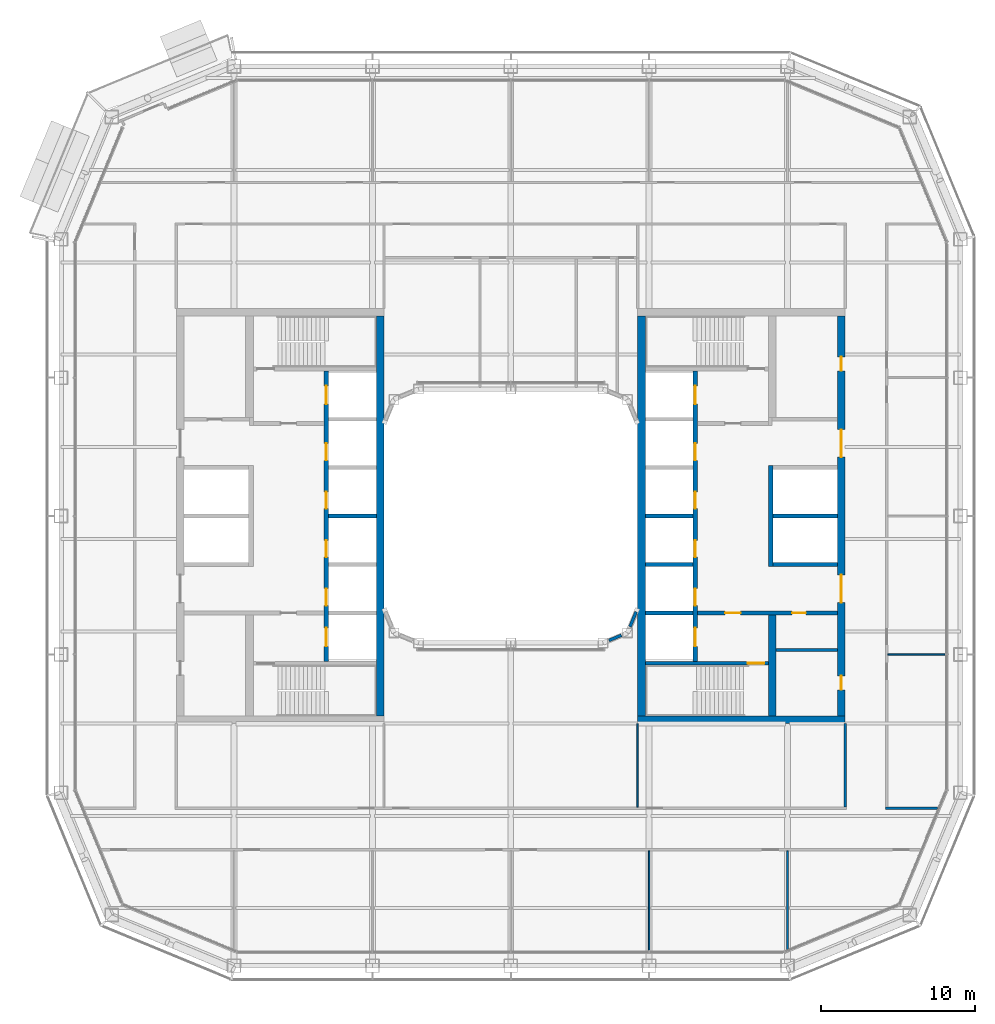
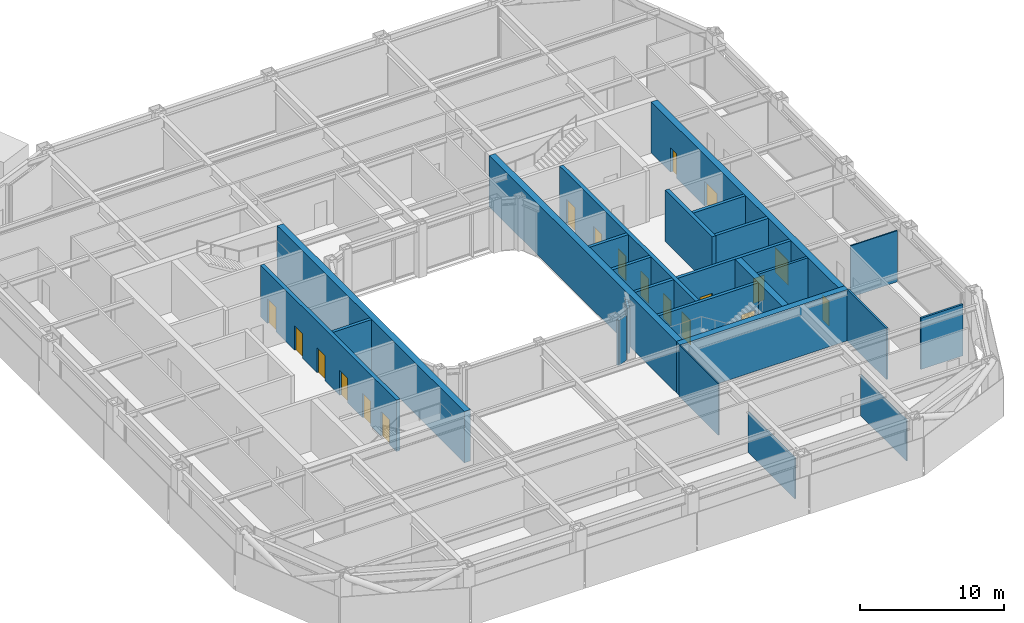
# One storey, part 12 of 23: 25 walls, 19 doors, 19 openings.
"""IFC4 building model written with IfcOpenShell, lengths in metres."""

from ifc_helpers import new_model, si_unit, direction, frame, frame_2d, origin, place, context, subcontext, project, spatial, rectangle, extrude, material, layer, layer_set, type_object, element, fill, save


model = new_model("IFC4")

# Units and contexts
model_context = context("Model", 3, precision=1e-05, world=origin(), true_north=direction((0.0, 1.0)))
body_context = subcontext(model_context, "Body", "Model", "MODEL_VIEW")
ifc_project = project(units=[si_unit("LENGTHUNIT", "METRE"), si_unit("AREAUNIT", "SQUARE_METRE"), si_unit("VOLUMEUNIT", "CUBIC_METRE"), si_unit("PLANEANGLEUNIT", "RADIAN"), si_unit("MASSUNIT", "GRAM", prefix="KILO")], contexts=[model_context])

# Site, building, storey
site_placement = place(None, origin())
site = spatial("IfcSite", under=ifc_project, at=site_placement, CompositionType="ELEMENT")
building_placement = place(site_placement, origin())
building = spatial("IfcBuilding", under=site, at=building_placement, Name="Siwar Civic Tower", CompositionType="ELEMENT")
storey_placement = place(building_placement, frame((0.0, 0.0, 172.199951171875)))
storey = spatial("IfcBuildingStorey", under=building, at=storey_placement, Name="L37", CompositionType="ELEMENT", Elevation=172.199951171875)

# Walls
ifc_material_1 = material(Name="Gypsum board on steel studs", Category="steel")
ifc_layer_1 = layer(ifc_material_1, 0.199951171875)
ifc_layer_set_1 = layer_set([ifc_layer_1], Name="Gypsum board on steel studs")
wall_type_1 = type_object("IfcWallType", Name="CORE-PARTITION-200", PredefinedType="PARTITIONING", material=ifc_layer_set_1)
wall_1_placement = place(storey_placement, frame((17.25, -8.699951171875, 0.0), z_axis=(0.0, 0.0, 1.0), x_axis=(1.0, 0.0, 0.0)))
element("IfcWall", 1, at=wall_1_placement, inside=storey, type_object=wall_type_1, Name="Core partition E", PredefinedType="PARTITIONING", context=body_context, shape_type="SweptSolid", body=[
    extrude(rectangle(XDim=4.0, YDim=0.199951171875, at=frame_2d((2.0, 0.0))), origin(), (0.0, 0.0, 1.0), 4.35009765625),
])
ifc_material_2 = material(Name="Concrete C60/75", Category="concrete")
ifc_layer_2 = layer(ifc_material_2, 0.25)
ifc_layer_set_2 = layer_set([ifc_layer_2], Name="Concrete C60/75")
wall_type_2 = type_object("IfcWallType", Name="CORE-WALL-RC250", PredefinedType="SHEAR", material=ifc_layer_set_2)
wall_2_placement = place(storey_placement, frame((-8.75, 0.0, 0.0), z_axis=(0.0, 0.0, 1.0), x_axis=(-1.0, 0.0, 0.0)))
element("IfcWall", 2, at=wall_2_placement, inside=storey, type_object=wall_type_2, Name="Core wall W", PredefinedType="SHEAR", context=body_context, shape_type="SweptSolid", body=[
    extrude(rectangle(XDim=3.10009765625, YDim=0.25, at=frame_2d((1.550048828125, 0.0))), origin(), (0.0, 0.0, 1.0), 4.35009765625),
])

# Wall, openings, doors
wall_3_placement = place(storey_placement, frame((12.14990234375, -6.300048828125, 0.0), z_axis=(0.0, 0.0, 1.0), x_axis=(1.0, 0.0, 0.0)))
wall_3 = element("IfcWall", 3, at=wall_3_placement, inside=storey, type_object=wall_type_2, Name="Core wall E", PredefinedType="SHEAR", context=body_context, shape_type="SweptSolid", body=[
    extrude(rectangle(XDim=9.10009765625, YDim=0.25, at=frame_2d((4.550048828125, 0.0))), origin(), (0.0, 0.0, 1.0), 4.35009765625),
])
opening_1_placement = place(wall_3_placement, frame((1.800048828125, 0.0, 0.0)))
opening_1 = element("IfcOpeningElement", 4, at=opening_1_placement, cuts=wall_3, Name="Opening L37-CE02", PredefinedType="OPENING", context=body_context, shape_type="SweptSolid", body=[
    extrude(rectangle(XDim=1.0, YDim=2.10009765625, at=frame_2d((0.5, 1.050048828125))), frame((0.0, 0.135009765625, 0.0), z_axis=(0.0, -1.0, 0.0), x_axis=(1.0, 0.0, 0.0)), (0.0, 0.0, 1.0), 0.27001953125),
])
opening_2_placement = place(wall_3_placement, frame((6.14990234375, 0.0, 0.0)))
opening_2 = element("IfcOpeningElement", 5, at=opening_2_placement, cuts=wall_3, Name="Opening L37-CE14", PredefinedType="OPENING", context=body_context, shape_type="SweptSolid", body=[
    extrude(rectangle(XDim=0.89990234375, YDim=2.10009765625, at=frame_2d((0.449951171875, 1.050048828125))), frame((0.0, 0.135009765625, 0.0), z_axis=(0.0, -1.0, 0.0), x_axis=(1.0, 0.0, 0.0)), (0.0, 0.0, 1.0), 0.27001953125),
])
ifc_material_3 = material(Name="Steel door leaf", Category="steel")
door_type_1 = type_object("IfcDoorType", Name="CORE-DOOR-FD30S", OperationType="SINGLE_SWING_LEFT", PredefinedType="DOOR", material=ifc_material_3)
door_1_placement = place(opening_1_placement, origin())
door_1 = element("IfcDoor", 6, at=door_1_placement, inside=storey, type_object=door_type_1, Name="Service lobby door L37-CE02", OperationType="SINGLE_SWING_LEFT", OverallHeight=2.10009765625, OverallWidth=1.0, PredefinedType="DOOR", context=body_context, shape_type="SweptSolid", body=[
    extrude(rectangle(XDim=1.0, YDim=2.10009765625, at=frame_2d((0.5, 1.050048828125))), frame((0.0, 0.02490234375, 0.0), z_axis=(0.0, -1.0, 0.0), x_axis=(1.0, 0.0, 0.0)), (0.0, 0.0, 1.0), 0.050048828125),
])
fill(opening_1, door_1)
ifc_material_4 = material(Name="Steel door leaf", Category="steel")
door_type_2 = type_object("IfcDoorType", Name="CORE-DOOR-ROOM", OperationType="SINGLE_SWING_LEFT", PredefinedType="DOOR", material=ifc_material_4)
door_2_placement = place(opening_2_placement, origin())
door_2 = element("IfcDoor", 7, at=door_2_placement, inside=storey, type_object=door_type_2, Name="Core room door L37-CE14", OperationType="SINGLE_SWING_LEFT", OverallHeight=2.10009765625, OverallWidth=0.89990234375, PredefinedType="DOOR", context=body_context, shape_type="SweptSolid", body=[
    extrude(rectangle(XDim=0.89990234375, YDim=2.10009765625, at=frame_2d((0.449951171875, 1.050048828125))), frame((0.0, 0.02490234375, 0.0), z_axis=(0.0, -1.0, 0.0), x_axis=(1.0, 0.0, 0.0)), (0.0, 0.0, 1.0), 0.050048828125),
])
fill(opening_2, door_2)

# Walls
for number, where, z_axis, x_axis, name in (
    (8, (17.050048828125, 0.0, 0.0), (0.0, 0.0, 1.0), (1.0, 0.0, 0.0), "Core wall E"),
    (9, (17.050048828125, -3.14990234375, 0.0), (0.0, 0.0, 1.0), (1.0, 0.0, 0.0), "Core wall E"),
):
    element("IfcWall", number, at=place(storey_placement, frame(where, z_axis=z_axis, x_axis=x_axis)), inside=storey, type_object=wall_type_2, Name=name, PredefinedType="SHEAR", context=body_context, shape_type="SweptSolid", body=[
        extrude(rectangle(XDim=4.199951171875, YDim=0.25, at=frame_2d((2.10009765625, 0.0))), origin(), (0.0, 0.0, 1.0), 4.35009765625),
    ])
for number, where, z_axis, x_axis, name in (
    (10, (8.75, 0.0, 0.0), (0.0, 0.0, 1.0), (1.0, 0.0, 0.0), "Core wall E"),
    (11, (8.75, -3.14990234375, 0.0), (0.0, 0.0, 1.0), (1.0, 0.0, 0.0), "Core wall E"),
    (12, (8.75, -6.300048828125, 0.0), (0.0, 0.0, 1.0), (1.0, 0.0, 0.0), "Core wall E"),
):
    element("IfcWall", number, at=place(storey_placement, frame(where, z_axis=z_axis, x_axis=x_axis)), inside=storey, type_object=wall_type_2, Name=name, PredefinedType="SHEAR", context=body_context, shape_type="SweptSolid", body=[
        extrude(rectangle(XDim=3.10009765625, YDim=0.25, at=frame_2d((1.550048828125, 0.0))), origin(), (0.0, 0.0, 1.0), 4.35009765625),
    ])

# Wall, opening, door
wall_4_placement = place(storey_placement, frame((8.75, -9.574951171875, 0.0), z_axis=(0.0, 0.0, 1.0), x_axis=(1.0, 0.0, 0.0)))
wall_4 = element("IfcWall", 13, at=wall_4_placement, inside=storey, type_object=wall_type_2, Name="Core wall E", PredefinedType="SHEAR", context=body_context, shape_type="SweptSolid", body=[
    extrude(rectangle(XDim=8.0, YDim=0.25, at=frame_2d((4.0, 0.0))), origin(), (0.0, 0.0, 1.0), 4.35009765625),
])
opening_3_placement = place(wall_4_placement, frame((6.64990234375, 0.0, 0.0)))
opening_3 = element("IfcOpeningElement", 14, at=opening_3_placement, cuts=wall_4, Name="Opening L37-CE04", PredefinedType="OPENING", context=body_context, shape_type="SweptSolid", body=[
    extrude(rectangle(XDim=1.10009765625, YDim=2.10009765625, at=frame_2d((0.550048828125, 1.050048828125))), frame((0.0, 0.135009765625, 0.0), z_axis=(0.0, -1.0, 0.0), x_axis=(1.0, 0.0, 0.0)), (0.0, 0.0, 1.0), 0.27001953125),
])
ifc_material_5 = material(Name="Steel door leaf", Category="steel")
door_type_3 = type_object("IfcDoorType", Name="CORE-DOOR-FD60S", OperationType="SINGLE_SWING_LEFT", PredefinedType="DOOR", material=ifc_material_5)
door_3_placement = place(opening_3_placement, origin())
door_3 = element("IfcDoor", 15, at=door_3_placement, inside=storey, type_object=door_type_3, Name="Stair door L37-CE04", OperationType="SINGLE_SWING_RIGHT", OverallHeight=2.10009765625, OverallWidth=1.10009765625, PredefinedType="DOOR", context=body_context, shape_type="SweptSolid", body=[
    extrude(rectangle(XDim=1.10009765625, YDim=2.10009765625, at=frame_2d((0.550048828125, 1.050048828125))), frame((0.0, 0.02490234375, 0.0), z_axis=(0.0, -1.0, 0.0), x_axis=(1.0, 0.0, 0.0)), (0.0, 0.0, 1.0), 0.050048828125),
])
fill(opening_3, door_3)

# Wall, openings, doors
ifc_material_6 = material(Name="Concrete C60/75", Category="concrete")
ifc_layer_3 = layer(ifc_material_6, 0.300048828125)
ifc_layer_set_3 = layer_set([ifc_layer_3], Name="Concrete C60/75")
wall_type_3 = type_object("IfcWallType", Name="CORE-WALL-RC300", PredefinedType="SHEAR", material=ifc_layer_set_3)
wall_5_placement = place(storey_placement, frame((-12.0, -9.449951171875, 0.0), z_axis=(0.0, 0.0, 1.0), x_axis=(0.0, 1.0, 0.0)))
wall_5 = element("IfcWall", 16, at=wall_5_placement, inside=storey, type_object=wall_type_3, Name="Core wall W", PredefinedType="SHEAR", context=body_context, shape_type="SweptSolid", body=[
    extrude(rectangle(XDim=18.89990234375, YDim=0.300048828125, at=frame_2d((9.449951171875, 0.0))), origin(), (0.0, 0.0, 1.0), 4.35009765625),
])
opening_4_placement = place(wall_5_placement, frame((3.625, 0.0, 0.0)))
opening_4 = element("IfcOpeningElement", 17, at=opening_4_placement, cuts=wall_5, Name="Opening L37-CW07", PredefinedType="OPENING", context=body_context, shape_type="SweptSolid", body=[
    extrude(rectangle(XDim=1.10009765625, YDim=2.10009765625, at=frame_2d((0.550048828125, 1.050048828125))), frame((0.0, 0.16015625, 0.0), z_axis=(0.0, -1.0, 0.0), x_axis=(1.0, 0.0, 0.0)), (0.0, 0.0, 1.0), 0.320068359375),
])
opening_5_placement = place(wall_5_placement, frame((6.77490234375, 0.0, 0.0)))
opening_5 = element("IfcOpeningElement", 18, at=opening_5_placement, cuts=wall_5, Name="Opening L37-CW08", PredefinedType="OPENING", context=body_context, shape_type="SweptSolid", body=[
    extrude(rectangle(XDim=1.10009765625, YDim=2.10009765625, at=frame_2d((0.550048828125, 1.050048828125))), frame((0.0, 0.16015625, 0.0), z_axis=(0.0, -1.0, 0.0), x_axis=(1.0, 0.0, 0.0)), (0.0, 0.0, 1.0), 0.320068359375),
])
opening_6_placement = place(wall_5_placement, frame((9.925048828125, 0.0, 0.0)))
opening_6 = element("IfcOpeningElement", 19, at=opening_6_placement, cuts=wall_5, Name="Opening L37-CW09", PredefinedType="OPENING", context=body_context, shape_type="SweptSolid", body=[
    extrude(rectangle(XDim=1.10009765625, YDim=2.10009765625, at=frame_2d((0.550048828125, 1.050048828125))), frame((0.0, 0.16015625, 0.0), z_axis=(0.0, -1.0, 0.0), x_axis=(1.0, 0.0, 0.0)), (0.0, 0.0, 1.0), 0.320068359375),
])
opening_7_placement = place(wall_5_placement, frame((13.074951171875, 0.0, 0.0)))
opening_7 = element("IfcOpeningElement", 20, at=opening_7_placement, cuts=wall_5, Name="Opening L37-CW10", PredefinedType="OPENING", context=body_context, shape_type="SweptSolid", body=[
    extrude(rectangle(XDim=1.10009765625, YDim=2.10009765625, at=frame_2d((0.550048828125, 1.050048828125))), frame((0.0, 0.16015625, 0.0), z_axis=(0.0, -1.0, 0.0), x_axis=(1.0, 0.0, 0.0)), (0.0, 0.0, 1.0), 0.320068359375),
])
opening_8_placement = place(wall_5_placement, frame((16.72509765625, 0.0, 0.0)))
opening_8 = element("IfcOpeningElement", 21, at=opening_8_placement, cuts=wall_5, Name="Opening L37-CW11", PredefinedType="OPENING", context=body_context, shape_type="SweptSolid", body=[
    extrude(rectangle(XDim=1.199951171875, YDim=2.10009765625, at=frame_2d((0.60009765625, 1.050048828125))), frame((0.0, 0.16015625, 0.0), z_axis=(0.0, -1.0, 0.0), x_axis=(1.0, 0.0, 0.0)), (0.0, 0.0, 1.0), 0.320068359375),
])
opening_9_placement = place(wall_5_placement, frame((0.97509765625, 0.0, 0.0)))
opening_9 = element("IfcOpeningElement", 22, at=opening_9_placement, cuts=wall_5, Name="Opening L37-CW12", PredefinedType="OPENING", context=body_context, shape_type="SweptSolid", body=[
    extrude(rectangle(XDim=1.199951171875, YDim=2.10009765625, at=frame_2d((0.60009765625, 1.050048828125))), frame((0.0, 0.16015625, 0.0), z_axis=(0.0, -1.0, 0.0), x_axis=(1.0, 0.0, 0.0)), (0.0, 0.0, 1.0), 0.320068359375),
])
ifc_material_7 = material(Name="Steel door leaf", Category="steel")
door_type_4 = type_object("IfcDoorType", Name="CORE-DOOR-LD", OperationType="DOUBLE_DOOR_SLIDING", PredefinedType="DOOR", material=ifc_material_7)
door_4_placement = place(opening_4_placement, origin())
door_4 = element("IfcDoor", 23, at=door_4_placement, inside=storey, type_object=door_type_4, Name="Landing door LR1 L37-CW07", OperationType="DOUBLE_DOOR_SLIDING", OverallHeight=2.10009765625, OverallWidth=1.10009765625, PredefinedType="DOOR", context=body_context, shape_type="SweptSolid", body=[
    extrude(rectangle(XDim=1.10009765625, YDim=2.10009765625, at=frame_2d((0.550048828125, 1.050048828125))), frame((0.0, 0.02490234375, 0.0), z_axis=(0.0, -1.0, 0.0), x_axis=(1.0, 0.0, 0.0)), (0.0, 0.0, 1.0), 0.050048828125),
])
fill(opening_4, door_4)
door_5_placement = place(opening_5_placement, origin())
door_5 = element("IfcDoor", 24, at=door_5_placement, inside=storey, type_object=door_type_4, Name="Landing door LR2 L37-CW08", OperationType="DOUBLE_DOOR_SLIDING", OverallHeight=2.10009765625, OverallWidth=1.10009765625, PredefinedType="DOOR", context=body_context, shape_type="SweptSolid", body=[
    extrude(rectangle(XDim=1.10009765625, YDim=2.10009765625, at=frame_2d((0.550048828125, 1.050048828125))), frame((0.0, 0.02490234375, 0.0), z_axis=(0.0, -1.0, 0.0), x_axis=(1.0, 0.0, 0.0)), (0.0, 0.0, 1.0), 0.050048828125),
])
fill(opening_5, door_5)
door_6_placement = place(opening_6_placement, origin())
door_6 = element("IfcDoor", 25, at=door_6_placement, inside=storey, type_object=door_type_4, Name="Landing door LR3 L37-CW09", OperationType="DOUBLE_DOOR_SLIDING", OverallHeight=2.10009765625, OverallWidth=1.10009765625, PredefinedType="DOOR", context=body_context, shape_type="SweptSolid", body=[
    extrude(rectangle(XDim=1.10009765625, YDim=2.10009765625, at=frame_2d((0.550048828125, 1.050048828125))), frame((0.0, 0.02490234375, 0.0), z_axis=(0.0, -1.0, 0.0), x_axis=(1.0, 0.0, 0.0)), (0.0, 0.0, 1.0), 0.050048828125),
])
fill(opening_6, door_6)
door_7_placement = place(opening_7_placement, origin())
door_7 = element("IfcDoor", 26, at=door_7_placement, inside=storey, type_object=door_type_4, Name="Landing door LR4 L37-CW10", OperationType="DOUBLE_DOOR_SLIDING", OverallHeight=2.10009765625, OverallWidth=1.10009765625, PredefinedType="DOOR", context=body_context, shape_type="SweptSolid", body=[
    extrude(rectangle(XDim=1.10009765625, YDim=2.10009765625, at=frame_2d((0.550048828125, 1.050048828125))), frame((0.0, 0.02490234375, 0.0), z_axis=(0.0, -1.0, 0.0), x_axis=(1.0, 0.0, 0.0)), (0.0, 0.0, 1.0), 0.050048828125),
])
fill(opening_7, door_7)
ifc_material_8 = material(Name="Steel door leaf", Category="steel")
door_type_5 = type_object("IfcDoorType", Name="CORE-DOOR-LDW", OperationType="DOUBLE_DOOR_SLIDING", PredefinedType="DOOR", material=ifc_material_8)
door_8_placement = place(opening_8_placement, origin())
door_8 = element("IfcDoor", 27, at=door_8_placement, inside=storey, type_object=door_type_5, Name="Landing door FF1 L37-CW11", OperationType="DOUBLE_DOOR_SLIDING", OverallHeight=2.10009765625, OverallWidth=1.199951171875, PredefinedType="DOOR", context=body_context, shape_type="SweptSolid", body=[
    extrude(rectangle(XDim=1.199951171875, YDim=2.10009765625, at=frame_2d((0.60009765625, 1.050048828125))), frame((0.0, 0.02490234375, 0.0), z_axis=(0.0, -1.0, 0.0), x_axis=(1.0, 0.0, 0.0)), (0.0, 0.0, 1.0), 0.050048828125),
])
fill(opening_8, door_8)
door_9_placement = place(opening_9_placement, origin())
door_9 = element("IfcDoor", 28, at=door_9_placement, inside=storey, type_object=door_type_5, Name="Landing door SV1 L37-CW12", OperationType="DOUBLE_DOOR_SLIDING", OverallHeight=2.10009765625, OverallWidth=1.199951171875, PredefinedType="DOOR", context=body_context, shape_type="SweptSolid", body=[
    extrude(rectangle(XDim=1.199951171875, YDim=2.10009765625, at=frame_2d((0.60009765625, 1.050048828125))), frame((0.0, 0.02490234375, 0.0), z_axis=(0.0, -1.0, 0.0), x_axis=(1.0, 0.0, 0.0)), (0.0, 0.0, 1.0), 0.050048828125),
])
fill(opening_9, door_9)

wall_6_placement = place(storey_placement, frame((12.0, -9.449951171875, 0.0), z_axis=(0.0, 0.0, 1.0), x_axis=(0.0, 1.0, 0.0)))
wall_6 = element("IfcWall", 29, at=wall_6_placement, inside=storey, type_object=wall_type_3, Name="Core wall E", PredefinedType="SHEAR", context=body_context, shape_type="SweptSolid", body=[
    extrude(rectangle(XDim=18.89990234375, YDim=0.300048828125, at=frame_2d((9.449951171875, 0.0))), origin(), (0.0, 0.0, 1.0), 4.35009765625),
])
opening_10_placement = place(wall_6_placement, frame((3.625, 0.0, 0.0)))
opening_10 = element("IfcOpeningElement", 30, at=opening_10_placement, cuts=wall_6, Name="Opening L37-CE07", PredefinedType="OPENING", context=body_context, shape_type="SweptSolid", body=[
    extrude(rectangle(XDim=1.10009765625, YDim=2.10009765625, at=frame_2d((0.550048828125, 1.050048828125))), frame((0.0, 0.16015625, 0.0), z_axis=(0.0, -1.0, 0.0), x_axis=(1.0, 0.0, 0.0)), (0.0, 0.0, 1.0), 0.320068359375),
])
opening_11_placement = place(wall_6_placement, frame((6.77490234375, 0.0, 0.0)))
opening_11 = element("IfcOpeningElement", 31, at=opening_11_placement, cuts=wall_6, Name="Opening L37-CE08", PredefinedType="OPENING", context=body_context, shape_type="SweptSolid", body=[
    extrude(rectangle(XDim=1.10009765625, YDim=2.10009765625, at=frame_2d((0.550048828125, 1.050048828125))), frame((0.0, 0.16015625, 0.0), z_axis=(0.0, -1.0, 0.0), x_axis=(1.0, 0.0, 0.0)), (0.0, 0.0, 1.0), 0.320068359375),
])
opening_12_placement = place(wall_6_placement, frame((9.925048828125, 0.0, 0.0)))
opening_12 = element("IfcOpeningElement", 32, at=opening_12_placement, cuts=wall_6, Name="Opening L37-CE09", PredefinedType="OPENING", context=body_context, shape_type="SweptSolid", body=[
    extrude(rectangle(XDim=1.10009765625, YDim=2.10009765625, at=frame_2d((0.550048828125, 1.050048828125))), frame((0.0, 0.16015625, 0.0), z_axis=(0.0, -1.0, 0.0), x_axis=(1.0, 0.0, 0.0)), (0.0, 0.0, 1.0), 0.320068359375),
])
opening_13_placement = place(wall_6_placement, frame((13.074951171875, 0.0, 0.0)))
opening_13 = element("IfcOpeningElement", 33, at=opening_13_placement, cuts=wall_6, Name="Opening L37-CE10", PredefinedType="OPENING", context=body_context, shape_type="SweptSolid", body=[
    extrude(rectangle(XDim=1.10009765625, YDim=2.10009765625, at=frame_2d((0.550048828125, 1.050048828125))), frame((0.0, 0.16015625, 0.0), z_axis=(0.0, -1.0, 0.0), x_axis=(1.0, 0.0, 0.0)), (0.0, 0.0, 1.0), 0.320068359375),
])
opening_14_placement = place(wall_6_placement, frame((16.72509765625, 0.0, 0.0)))
opening_14 = element("IfcOpeningElement", 34, at=opening_14_placement, cuts=wall_6, Name="Opening L37-CE11", PredefinedType="OPENING", context=body_context, shape_type="SweptSolid", body=[
    extrude(rectangle(XDim=1.199951171875, YDim=2.10009765625, at=frame_2d((0.60009765625, 1.050048828125))), frame((0.0, 0.16015625, 0.0), z_axis=(0.0, -1.0, 0.0), x_axis=(1.0, 0.0, 0.0)), (0.0, 0.0, 1.0), 0.320068359375),
])
opening_15_placement = place(wall_6_placement, frame((0.97509765625, 0.0, 0.0)))
opening_15 = element("IfcOpeningElement", 35, at=opening_15_placement, cuts=wall_6, Name="Opening L37-CE12", PredefinedType="OPENING", context=body_context, shape_type="SweptSolid", body=[
    extrude(rectangle(XDim=1.199951171875, YDim=2.10009765625, at=frame_2d((0.60009765625, 1.050048828125))), frame((0.0, 0.16015625, 0.0), z_axis=(0.0, -1.0, 0.0), x_axis=(1.0, 0.0, 0.0)), (0.0, 0.0, 1.0), 0.320068359375),
])
door_10_placement = place(opening_10_placement, origin())
door_10 = element("IfcDoor", 36, at=door_10_placement, inside=storey, type_object=door_type_4, Name="Landing door LR5 L37-CE07", OperationType="DOUBLE_DOOR_SLIDING", OverallHeight=2.10009765625, OverallWidth=1.10009765625, PredefinedType="DOOR", context=body_context, shape_type="SweptSolid", body=[
    extrude(rectangle(XDim=1.10009765625, YDim=2.10009765625, at=frame_2d((0.550048828125, 1.050048828125))), frame((0.0, 0.02490234375, 0.0), z_axis=(0.0, -1.0, 0.0), x_axis=(1.0, 0.0, 0.0)), (0.0, 0.0, 1.0), 0.050048828125),
])
fill(opening_10, door_10)
door_11_placement = place(opening_11_placement, origin())
door_11 = element("IfcDoor", 37, at=door_11_placement, inside=storey, type_object=door_type_4, Name="Landing door LR6 L37-CE08", OperationType="DOUBLE_DOOR_SLIDING", OverallHeight=2.10009765625, OverallWidth=1.10009765625, PredefinedType="DOOR", context=body_context, shape_type="SweptSolid", body=[
    extrude(rectangle(XDim=1.10009765625, YDim=2.10009765625, at=frame_2d((0.550048828125, 1.050048828125))), frame((0.0, 0.02490234375, 0.0), z_axis=(0.0, -1.0, 0.0), x_axis=(1.0, 0.0, 0.0)), (0.0, 0.0, 1.0), 0.050048828125),
])
fill(opening_11, door_11)
door_12_placement = place(opening_12_placement, origin())
door_12 = element("IfcDoor", 38, at=door_12_placement, inside=storey, type_object=door_type_4, Name="Landing door LR7 L37-CE09", OperationType="DOUBLE_DOOR_SLIDING", OverallHeight=2.10009765625, OverallWidth=1.10009765625, PredefinedType="DOOR", context=body_context, shape_type="SweptSolid", body=[
    extrude(rectangle(XDim=1.10009765625, YDim=2.10009765625, at=frame_2d((0.550048828125, 1.050048828125))), frame((0.0, 0.02490234375, 0.0), z_axis=(0.0, -1.0, 0.0), x_axis=(1.0, 0.0, 0.0)), (0.0, 0.0, 1.0), 0.050048828125),
])
fill(opening_12, door_12)
door_13_placement = place(opening_13_placement, origin())
door_13 = element("IfcDoor", 39, at=door_13_placement, inside=storey, type_object=door_type_4, Name="Landing door LR8 L37-CE10", OperationType="DOUBLE_DOOR_SLIDING", OverallHeight=2.10009765625, OverallWidth=1.10009765625, PredefinedType="DOOR", context=body_context, shape_type="SweptSolid", body=[
    extrude(rectangle(XDim=1.10009765625, YDim=2.10009765625, at=frame_2d((0.550048828125, 1.050048828125))), frame((0.0, 0.02490234375, 0.0), z_axis=(0.0, -1.0, 0.0), x_axis=(1.0, 0.0, 0.0)), (0.0, 0.0, 1.0), 0.050048828125),
])
fill(opening_13, door_13)
door_14_placement = place(opening_14_placement, origin())
door_14 = element("IfcDoor", 40, at=door_14_placement, inside=storey, type_object=door_type_5, Name="Landing door FF2 L37-CE11", OperationType="DOUBLE_DOOR_SLIDING", OverallHeight=2.10009765625, OverallWidth=1.199951171875, PredefinedType="DOOR", context=body_context, shape_type="SweptSolid", body=[
    extrude(rectangle(XDim=1.199951171875, YDim=2.10009765625, at=frame_2d((0.60009765625, 1.050048828125))), frame((0.0, 0.02490234375, 0.0), z_axis=(0.0, -1.0, 0.0), x_axis=(1.0, 0.0, 0.0)), (0.0, 0.0, 1.0), 0.050048828125),
])
fill(opening_14, door_14)
door_15_placement = place(opening_15_placement, origin())
door_15 = element("IfcDoor", 41, at=door_15_placement, inside=storey, type_object=door_type_5, Name="Landing door SV2 L37-CE12", OperationType="DOUBLE_DOOR_SLIDING", OverallHeight=2.10009765625, OverallWidth=1.199951171875, PredefinedType="DOOR", context=body_context, shape_type="SweptSolid", body=[
    extrude(rectangle(XDim=1.199951171875, YDim=2.10009765625, at=frame_2d((0.60009765625, 1.050048828125))), frame((0.0, 0.02490234375, 0.0), z_axis=(0.0, -1.0, 0.0), x_axis=(1.0, 0.0, 0.0)), (0.0, 0.0, 1.0), 0.050048828125),
])
fill(opening_15, door_15)

# Wall
wall_7_placement = place(storey_placement, frame((16.89990234375, -3.27490234375, 0.0), z_axis=(0.0, 0.0, 1.0), x_axis=(0.0, 1.0, 0.0)))
element("IfcWall", 42, at=wall_7_placement, inside=storey, type_object=wall_type_3, Name="Core wall E", PredefinedType="SHEAR", context=body_context, shape_type="SweptSolid", body=[
    extrude(rectangle(XDim=6.5498046875, YDim=0.300048828125, at=frame_2d((3.27490234375, 0.0))), origin(), (0.0, 0.0, 1.0), 4.35009765625),
])

# Wall, openings, doors
ifc_material_9 = material(Name="Concrete C60/75", Category="concrete")
ifc_layer_4 = layer(ifc_material_9, 0.5)
ifc_layer_set_4 = layer_set([ifc_layer_4], Name="Concrete C60/75")
wall_type_4 = type_object("IfcWallType", Name="CORE-WALL-RC500", PredefinedType="SHEAR", material=ifc_layer_set_4)
wall_8_placement = place(storey_placement, frame((21.5, -13.0, 0.0), z_axis=(0.0, 0.0, 1.0), x_axis=(0.0, 1.0, 0.0)))
wall_8 = element("IfcWall", 43, at=wall_8_placement, inside=storey, type_object=wall_type_4, Name="Core wall E", PredefinedType="SHEAR", context=body_context, shape_type="SweptSolid", body=[
    extrude(rectangle(XDim=26.0, YDim=0.5, at=frame_2d((13.0, 0.0))), origin(), (0.0, 0.0, 1.0), 4.35009765625),
])
opening_16_placement = place(wall_8_placement, frame((16.824951171875, 0.0, 0.0)))
opening_16 = element("IfcOpeningElement", 44, at=opening_16_placement, cuts=wall_8, Name="Opening L37-CE05", PredefinedType="OPENING", context=body_context, shape_type="SweptSolid", body=[
    extrude(rectangle(XDim=1.800048828125, YDim=2.10009765625, at=frame_2d((0.89990234375, 1.050048828125))), frame((0.0, 0.260009765625, 0.0), z_axis=(0.0, -1.0, 0.0), x_axis=(1.0, 0.0, 0.0)), (0.0, 0.0, 1.0), 0.52001953125),
])
opening_17_placement = place(wall_8_placement, frame((7.375, 0.0, 0.0)))
opening_17 = element("IfcOpeningElement", 45, at=opening_17_placement, cuts=wall_8, Name="Opening L37-CE06", PredefinedType="OPENING", context=body_context, shape_type="SweptSolid", body=[
    extrude(rectangle(XDim=1.800048828125, YDim=2.10009765625, at=frame_2d((0.89990234375, 1.050048828125))), frame((0.0, 0.260009765625, 0.0), z_axis=(0.0, -1.0, 0.0), x_axis=(1.0, 0.0, 0.0)), (0.0, 0.0, 1.0), 0.52001953125),
])
opening_18_placement = place(wall_8_placement, frame((22.449951171875, 0.0, 0.0)))
opening_18 = element("IfcOpeningElement", 46, at=opening_18_placement, cuts=wall_8, Name="Opening L37-CE13", PredefinedType="OPENING", context=body_context, shape_type="SweptSolid", body=[
    extrude(rectangle(XDim=0.89990234375, YDim=2.10009765625, at=frame_2d((0.449951171875, 1.050048828125))), frame((0.0, 0.260009765625, 0.0), z_axis=(0.0, -1.0, 0.0), x_axis=(1.0, 0.0, 0.0)), (0.0, 0.0, 1.0), 0.52001953125),
])
opening_19_placement = place(wall_8_placement, frame((1.699951171875, 0.0, 0.0)))
opening_19 = element("IfcOpeningElement", 47, at=opening_19_placement, cuts=wall_8, Name="Opening L37-CE15", PredefinedType="OPENING", context=body_context, shape_type="SweptSolid", body=[
    extrude(rectangle(XDim=0.89990234375, YDim=2.10009765625, at=frame_2d((0.449951171875, 1.050048828125))), frame((0.0, 0.260009765625, 0.0), z_axis=(0.0, -1.0, 0.0), x_axis=(1.0, 0.0, 0.0)), (0.0, 0.0, 1.0), 0.52001953125),
])
ifc_material_10 = material(Name="Steel door leaf", Category="steel")
door_type_6 = type_object("IfcDoorType", Name="CORE-DOOR-PORT", OperationType="DOUBLE_DOOR_DOUBLE_SWING", PredefinedType="DOOR", material=ifc_material_10)
door_16_placement = place(opening_16_placement, origin())
door_16 = element("IfcDoor", 48, at=door_16_placement, inside=storey, type_object=door_type_6, Name="Core entrance door L37-CE05", OperationType="DOUBLE_DOOR_DOUBLE_SWING", OverallHeight=2.10009765625, OverallWidth=1.800048828125, PredefinedType="DOOR", context=body_context, shape_type="SweptSolid", body=[
    extrude(rectangle(XDim=1.800048828125, YDim=2.10009765625, at=frame_2d((0.89990234375, 1.050048828125))), frame((0.0, 0.02490234375, 0.0), z_axis=(0.0, -1.0, 0.0), x_axis=(1.0, 0.0, 0.0)), (0.0, 0.0, 1.0), 0.050048828125),
])
fill(opening_16, door_16)
door_17_placement = place(opening_17_placement, origin())
door_17 = element("IfcDoor", 49, at=door_17_placement, inside=storey, type_object=door_type_6, Name="Core entrance door L37-CE06", OperationType="DOUBLE_DOOR_DOUBLE_SWING", OverallHeight=2.10009765625, OverallWidth=1.800048828125, PredefinedType="DOOR", context=body_context, shape_type="SweptSolid", body=[
    extrude(rectangle(XDim=1.800048828125, YDim=2.10009765625, at=frame_2d((0.89990234375, 1.050048828125))), frame((0.0, 0.02490234375, 0.0), z_axis=(0.0, -1.0, 0.0), x_axis=(1.0, 0.0, 0.0)), (0.0, 0.0, 1.0), 0.050048828125),
])
fill(opening_17, door_17)
door_18_placement = place(opening_18_placement, origin())
door_18 = element("IfcDoor", 50, at=door_18_placement, inside=storey, type_object=door_type_2, Name="Core room door L37-CE13", OperationType="SINGLE_SWING_LEFT", OverallHeight=2.10009765625, OverallWidth=0.89990234375, PredefinedType="DOOR", context=body_context, shape_type="SweptSolid", body=[
    extrude(rectangle(XDim=0.89990234375, YDim=2.10009765625, at=frame_2d((0.449951171875, 1.050048828125))), frame((0.0, 0.02490234375, 0.0), z_axis=(0.0, -1.0, 0.0), x_axis=(1.0, 0.0, 0.0)), (0.0, 0.0, 1.0), 0.050048828125),
])
fill(opening_18, door_18)
door_19_placement = place(opening_19_placement, origin())
door_19 = element("IfcDoor", 51, at=door_19_placement, inside=storey, type_object=door_type_2, Name="Core room door L37-CE15", OperationType="SINGLE_SWING_LEFT", OverallHeight=2.10009765625, OverallWidth=0.89990234375, PredefinedType="DOOR", context=body_context, shape_type="SweptSolid", body=[
    extrude(rectangle(XDim=0.89990234375, YDim=2.10009765625, at=frame_2d((0.449951171875, 1.050048828125))), frame((0.0, 0.02490234375, 0.0), z_axis=(0.0, -1.0, 0.0), x_axis=(1.0, 0.0, 0.0)), (0.0, 0.0, 1.0), 0.050048828125),
])
fill(opening_19, door_19)

# Walls
wall_9_placement = place(storey_placement, frame((17.0, -13.0, 0.0), z_axis=(0.0, 0.0, 1.0), x_axis=(0.0, 1.0, 0.0)))
element("IfcWall", 52, at=wall_9_placement, inside=storey, type_object=wall_type_4, Name="Core wall E", PredefinedType="SHEAR", context=body_context, shape_type="SweptSolid", body=[
    extrude(rectangle(XDim=6.574951171875, YDim=0.5, at=frame_2d((3.28759765625, 0.0))), origin(), (0.0, 0.0, 1.0), 4.35009765625),
])
wall_10_placement = place(storey_placement, frame((8.25, -13.25, 0.0), z_axis=(0.0, 0.0, 1.0), x_axis=(1.0, 0.0, 0.0)))
element("IfcWall", 53, at=wall_10_placement, inside=storey, type_object=wall_type_4, Name="Core wall E", PredefinedType="SHEAR", context=body_context, shape_type="SweptSolid", body=[
    extrude(rectangle(XDim=13.5, YDim=0.5, at=frame_2d((6.75, 0.0))), origin(), (0.0, 0.0, 1.0), 4.35009765625),
])
ifc_material_11 = material(Name="Concrete C60/75", Category="concrete")
ifc_layer_5 = layer(ifc_material_11, 0.5)
ifc_layer_set_5 = layer_set([ifc_layer_5], Name="Concrete C60/75")
wall_type_5 = type_object("IfcWallType", Name="CORE-WALL-RC500-EXT", PredefinedType="SHEAR", material=ifc_layer_set_5)
for number, where, z_axis, x_axis, name in (
    (54, (-8.5, -13.0, 0.0), (0.0, 0.0, 1.0), (0.0, 1.0, 0.0), "Core wall W"),
    (55, (8.5, -13.0, 0.0), (0.0, 0.0, 1.0), (0.0, 1.0, 0.0), "Core wall E"),
):
    element("IfcWall", number, at=place(storey_placement, frame(where, z_axis=z_axis, x_axis=x_axis)), inside=storey, type_object=wall_type_5, Name=name, PredefinedType="SHEAR", context=body_context, shape_type="SweptSolid", body=[
        extrude(rectangle(XDim=26.0, YDim=0.5, at=frame_2d((13.0, 0.0))), origin(), (0.0, 0.0, 1.0), 4.35009765625),
    ])
ifc_material_12 = material(Name="Gypsum board on steel studs", Category="steel")
ifc_layer_6 = layer(ifc_material_12, 0.14990234375)
ifc_layer_set_6 = layer_set([ifc_layer_6], Name="Gypsum board on steel studs")
wall_type_6 = type_object("IfcWallType", Name="CORRIDOR PARTITION 150 EI 30", PredefinedType="PARTITIONING", material=ifc_layer_set_6)
wall_11_placement = place(storey_placement, frame((24.375, -19.0, 0.0), z_axis=(0.0, 0.0, 1.0), x_axis=(1.0, 0.0, 0.0)))
element("IfcWall", 56, at=wall_11_placement, inside=storey, type_object=wall_type_6, Name="L37/wall/P04", PredefinedType="PARTITIONING", context=body_context, shape_type="SweptSolid", body=[
    extrude(rectangle(XDim=3.388916015625, YDim=0.14990234375, at=frame_2d((1.6943359375, 0.0))), origin(), (0.0, 0.0, 1.0), 4.35009765625),
])
wall_12_placement = place(storey_placement, frame((21.75, -18.925048828125, 0.0), z_axis=(0.0, 0.0, 1.0), x_axis=(0.0, 1.0, 0.0)))
element("IfcWall", 57, at=wall_12_placement, inside=storey, type_object=wall_type_6, Name="L37/wall/P35", PredefinedType="PARTITIONING", context=body_context, shape_type="SweptSolid", body=[
    extrude(rectangle(XDim=5.425048828125, YDim=0.14990234375, at=frame_2d((2.71240234375, 0.0))), origin(), (0.0, 0.0, 1.0), 4.35009765625),
])
ifc_material_13 = material(Name="Aluminium clad insulated panel", Category="aluminium")
ifc_layer_7 = layer(ifc_material_13, 0.199951171875)
ifc_layer_set_7 = layer_set([ifc_layer_7], Name="Aluminium clad insulated panel")
wall_type_7 = type_object("IfcWallType", Name="ENV-WALL-WELL", PredefinedType="STANDARD", material=ifc_layer_set_7)
wall_13_placement = place(storey_placement, frame((6.392333984375, -8.08740234375, 0.0), z_axis=(0.0, 0.0, 1.0), x_axis=(0.923894108428, 0.382648241093, 0.0)))
element("IfcWall", 58, at=wall_13_placement, inside=storey, type_object=wall_type_7, Name="Light well corner wall SE1", PredefinedType="STANDARD", context=body_context, shape_type="SweptSolid", body=[
    extrude(rectangle(XDim=0.872802734375, YDim=0.199951171875, at=frame_2d((0.4365234375, 0.0))), origin(), (0.0, 0.0, 1.0), 3.825927734375),
])
wall_14_placement = place(storey_placement, frame((7.75341796875, -7.19873046875, 0.0), z_axis=(0.0, 0.0, 1.0), x_axis=(0.382694858887, 0.923874799408, 0.0)))
element("IfcWall", 59, at=wall_14_placement, inside=storey, type_object=wall_type_7, Name="Light well corner wall SE2", PredefinedType="STANDARD", context=body_context, shape_type="SweptSolid", body=[
    extrude(rectangle(XDim=1.047607421875, YDim=0.199951171875, at=frame_2d((0.52392578125, 0.0))), origin(), (0.0, 0.0, 1.0), 3.825927734375),
])
ifc_material_14 = material(Name="Gypsum board on steel studs", Category="steel")
ifc_layer_8 = layer(ifc_material_14, 0.10009765625)
ifc_layer_set_8 = layer_set([ifc_layer_8], Name="Gypsum board on steel studs")
wall_type_8 = type_object("IfcWallType", Name="PARTITION 100 GYPSUM", PredefinedType="PARTITIONING", material=ifc_layer_set_8)
wall_15_placement = place(storey_placement, frame((24.52490234375, -9.0, 0.0), z_axis=(0.0, 0.0, 1.0), x_axis=(1.0, 0.0, 0.0)))
element("IfcWall", 60, at=wall_15_placement, inside=storey, type_object=wall_type_8, Name="L37/wall/P05", PredefinedType="PARTITIONING", context=body_context, shape_type="SweptSolid", body=[
    extrude(rectangle(XDim=3.735107421875, YDim=0.10009765625, at=frame_2d((1.86767578125, 0.0))), origin(), (0.0, 0.0, 1.0), 4.35009765625),
])
wall_16_placement = place(storey_placement, frame((8.25, -18.925048828125, 0.0), z_axis=(0.0, 0.0, 1.0), x_axis=(0.0, 1.0, 0.0)))
element("IfcWall", 61, at=wall_16_placement, inside=storey, type_object=wall_type_8, Name="L37/wall/P28", PredefinedType="PARTITIONING", context=body_context, shape_type="SweptSolid", body=[
    extrude(rectangle(XDim=5.425048828125, YDim=0.10009765625, at=frame_2d((2.71240234375, 0.0))), origin(), (0.0, 0.0, 1.0), 4.35009765625),
])
wall_17_placement = place(storey_placement, frame((9.0, -28.260009765625, 0.0), z_axis=(0.0, 0.0, 1.0), x_axis=(0.0, 1.0, 0.0)))
element("IfcWall", 62, at=wall_17_placement, inside=storey, type_object=wall_type_8, Name="L37/wall/P31", PredefinedType="PARTITIONING", context=body_context, shape_type="SweptSolid", body=[
    extrude(rectangle(XDim=6.485107421875, YDim=0.10009765625, at=frame_2d((3.24267578125, 0.0))), origin(), (0.0, 0.0, 1.0), 3.449951171875),
])
wall_18_placement = place(storey_placement, frame((18.0, -28.177978515625, 0.0), z_axis=(0.0, 0.0, 1.0), x_axis=(0.0, 1.0, 0.0)))
element("IfcWall", 63, at=wall_18_placement, inside=storey, type_object=wall_type_8, Name="L37/wall/P33", PredefinedType="PARTITIONING", context=body_context, shape_type="SweptSolid", body=[
    extrude(rectangle(XDim=6.403076171875, YDim=0.10009765625, at=frame_2d((3.20166015625, 0.0))), origin(), (0.0, 0.0, 1.0), 3.449951171875),
])

save(model, "model.ifc")
